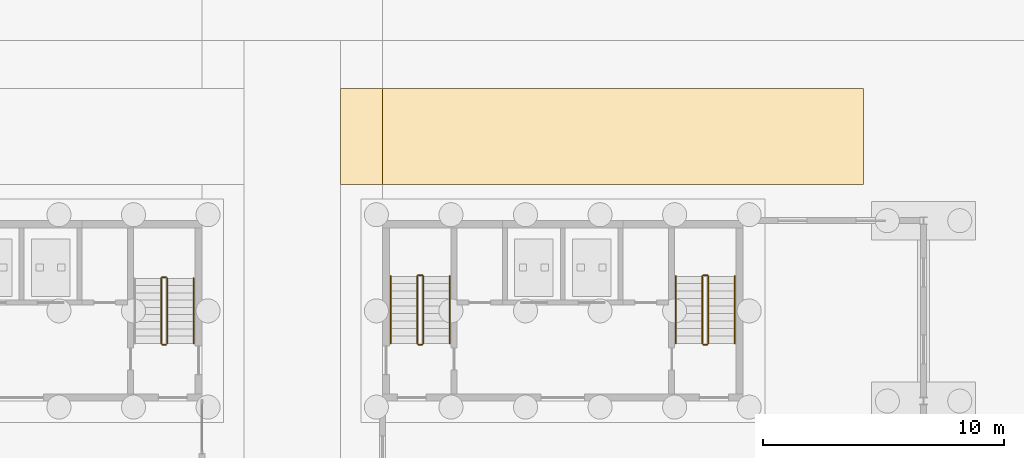
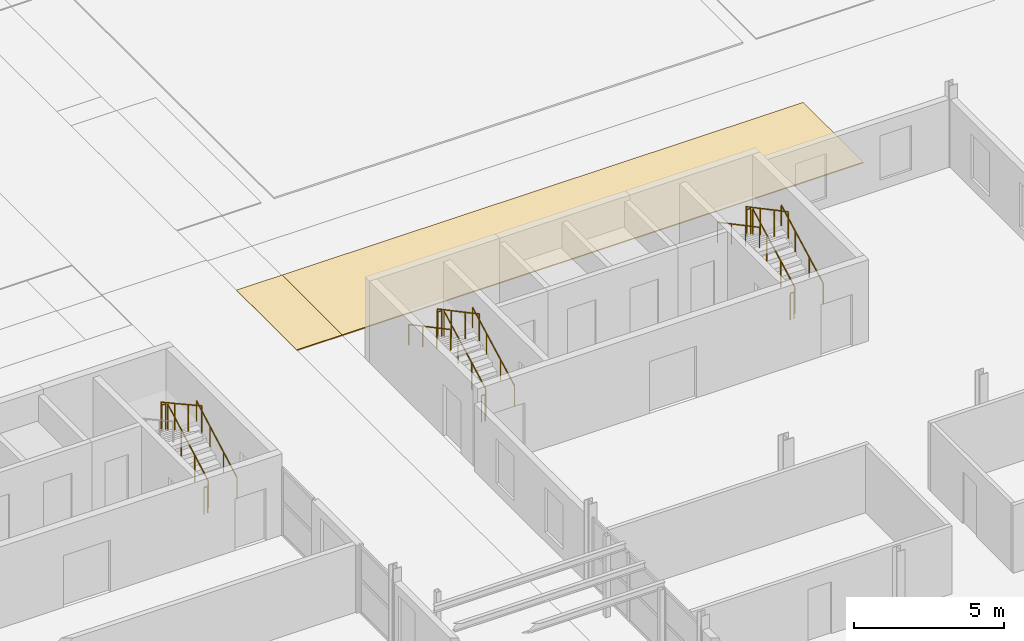
# One storey, part 118 of 130: 17 railings, 2 coverings.
"""IFC4 building model written with IfcOpenShell, lengths in metres."""

from ifc_helpers import new_model, si_unit, direction, frame, origin, origin_2d, place, context, subcontext, project, spatial, polyline, circle, outline, extrude, material, layer, layer_set, type_object, element, save


model = new_model("IFC4")

# Units and contexts
model_context = context("Model", 3, precision=1e-05, world=origin(), true_north=direction((0.0, 1.0)))
body_context = subcontext(model_context, "Body", "Model", "MODEL_VIEW")
ifc_project = project(units=[si_unit("LENGTHUNIT", "METRE"), si_unit("AREAUNIT", "SQUARE_METRE"), si_unit("VOLUMEUNIT", "CUBIC_METRE"), si_unit("PLANEANGLEUNIT", "RADIAN"), si_unit("MASSUNIT", "GRAM", prefix="KILO")], contexts=[model_context])

# Site, building, storey
site_placement = place(None, origin())
site = spatial("IfcSite", under=ifc_project, at=site_placement, CompositionType="ELEMENT")
building_placement = place(site_placement, origin())
building = spatial("IfcBuilding", under=site, at=building_placement, Name="Parallax Yard Mobility Hub", CompositionType="ELEMENT")
storey_placement = place(building_placement, origin())
storey = spatial("IfcBuildingStorey", under=building, at=storey_placement, Name="L00", CompositionType="ELEMENT", Elevation=0.0)

# Coverings
ifc_material_1 = material(Name="Concrete fc' 30 MPa", Category="concrete")
ifc_layer = layer(ifc_material_1, 0.0400390625)
ifc_layer_set = layer_set([ifc_layer], Name="Footway paving, Concrete fc' 30 MPa pavers 40")
covering_type = type_object("IfcCoveringType", Name="Footway paving, Concrete fc' 30 MPa pavers 40", PredefinedType="USERDEFINED", material=ifc_layer_set)
covering_1_placement = place(storey_placement, origin())
element("IfcCovering", 1, at=covering_1_placement, inside=storey, type_object=covering_type, Name="Yard footway south surfacing 6", ObjectType="PAVING", PredefinedType="USERDEFINED", context=body_context, shape_type="SweptSolid", body=[
    extrude(outline(polyline([(148.25, 54.0), (148.25, 58.0), (150.0, 58.0), (150.0, 54.0), (148.25, 54.0)])), origin(), (0.0, 0.0, 1.0), 0.0400390625),
])
covering_2_placement = place(storey_placement, origin())
element("IfcCovering", 2, at=covering_2_placement, inside=storey, type_object=covering_type, Name="Yard footway south surfacing 7", ObjectType="PAVING", PredefinedType="USERDEFINED", context=body_context, shape_type="SweptSolid", body=[
    extrude(outline(polyline([(170.0, 54.0), (150.0, 54.0), (150.0, 58.0), (170.0, 58.0), (170.0, 54.0)])), origin(), (0.0, 0.0, 1.0), 0.0400390625),
])

# Railings
ifc_material_2 = material(Name="Steel ASTM A36", Category="steel")
railing_type_1 = type_object("IfcRailingType", Name="Stair guard 1100", PredefinedType="GUARDRAIL", material=ifc_material_2)
railing_1_placement = place(storey_placement, frame((141.050048828125, 47.39990234375, 0.1650390625)))
element("IfcRailing", 3, at=railing_1_placement, inside=storey, type_object=railing_type_1, Name="L00 ST14 stair guard 1", PredefinedType="GUARDRAIL", context=body_context, shape_type="SweptSolid", body=[
    extrude(circle(Radius=0.02392578125, at=origin_2d()), frame((0.0, 0.0, 1.076171875), z_axis=(0.0, 0.876249361297, 0.481857921827), x_axis=(-1.0, 0.0, 0.0)), (0.0, 0.0, 1.0), 3.08154296875),
    extrude(circle(Radius=0.02099609375, at=origin_2d()), origin(), (0.0, 0.0, 1.0), 1.052001953125),
    extrude(circle(Radius=0.02099609375, at=origin_2d()), frame((0.0, 0.900146484375, 0.494873046875)), (0.0, 0.0, 1.0), 1.052001953125),
    extrude(circle(Radius=0.02099609375, at=origin_2d()), frame((0.0, 1.800048828125, 0.989990234375)), (0.0, 0.0, 1.0), 1.052001953125),
    extrude(circle(Radius=0.02099609375, at=origin_2d()), frame((0.0, 2.7001953125, 1.48486328125)), (0.0, 0.0, 1.0), 1.052001953125),
])
railing_2_placement = place(storey_placement, frame((141.0, 50.14990234375, 1.64990234375)))
element("IfcRailing", 4, at=railing_2_placement, inside=storey, type_object=railing_type_1, Name="L00 ST14 stair guard 2", PredefinedType="GUARDRAIL", context=body_context, shape_type="SweptSolid", body=[
    extrude(circle(Radius=0.02392578125, at=origin_2d()), frame((0.0, 0.0, 1.076171875), z_axis=(-1.0, 0.0, 0.0), x_axis=(0.0, -1.0, 0.0)), (0.0, 0.0, 1.0), 0.14990234375),
    extrude(circle(Radius=0.02099609375, at=origin_2d()), origin(), (0.0, 0.0, 1.0), 1.052001953125),
    extrude(circle(Radius=0.02099609375, at=origin_2d()), frame((-0.14990234375, 0.0, 0.0)), (0.0, 0.0, 1.0), 1.052001953125),
])
railing_3_placement = place(storey_placement, frame((140.800048828125, 50.10009765625, 1.81494140625)))
element("IfcRailing", 5, at=railing_3_placement, inside=storey, type_object=railing_type_1, Name="L00 ST14 stair guard 3", PredefinedType="GUARDRAIL", context=body_context, shape_type="SweptSolid", body=[
    extrude(circle(Radius=0.02392578125, at=origin_2d()), frame((0.0, 0.0, 1.076171875), z_axis=(0.0, -0.876215908677, 0.481918749772), x_axis=(1.0, 0.0, 0.0)), (0.0, 0.0, 1.0), 3.08154296875),
    extrude(circle(Radius=0.02099609375, at=origin_2d()), origin(), (0.0, 0.0, 1.0), 1.052001953125),
    extrude(circle(Radius=0.02099609375, at=origin_2d()), frame((0.0, -0.900146484375, 0.4951171875)), (0.0, 0.0, 1.0), 1.052001953125),
    extrude(circle(Radius=0.02099609375, at=origin_2d()), frame((0.0, -1.800048828125, 0.989990234375)), (0.0, 0.0, 1.0), 1.052001953125),
    extrude(circle(Radius=0.02099609375, at=origin_2d()), frame((0.0, -2.7001953125, 1.485107421875)), (0.0, 0.0, 1.0), 1.052001953125),
])
railing_4_placement = place(storey_placement, frame((141.0, 47.35009765625, 0.0)))
element("IfcRailing", 6, at=railing_4_placement, inside=storey, type_object=railing_type_1, Name="L00 ST14 stair guard 4", PredefinedType="GUARDRAIL", context=body_context, shape_type="SweptSolid", body=[
    extrude(circle(Radius=0.02392578125, at=origin_2d()), frame((0.0, 0.0, 1.076171875), z_axis=(-1.0, 0.0, 0.0), x_axis=(0.0, -1.0, 0.0)), (0.0, 0.0, 1.0), 0.14990234375),
    extrude(circle(Radius=0.02099609375, at=origin_2d()), origin(), (0.0, 0.0, 1.0), 1.052001953125),
    extrude(circle(Radius=0.02099609375, at=origin_2d()), frame((-0.14990234375, 0.0, 0.0)), (0.0, 0.0, 1.0), 1.052001953125),
])
railing_5_placement = place(storey_placement, frame((151.699951171875, 47.39990234375, 0.1650390625)))
element("IfcRailing", 7, at=railing_5_placement, inside=storey, type_object=railing_type_1, Name="L00 ST15 stair guard 1", PredefinedType="GUARDRAIL", context=body_context, shape_type="SweptSolid", body=[
    extrude(circle(Radius=0.02392578125, at=origin_2d()), frame((0.0, 0.0, 1.076171875), z_axis=(0.0, 0.882767428149, 0.469810246588), x_axis=(-1.0, 0.0, 0.0)), (0.0, 0.0, 1.0), 3.16064453125),
    extrude(circle(Radius=0.02099609375, at=origin_2d()), origin(), (0.0, 0.0, 1.0), 1.052001953125),
    extrude(circle(Radius=0.02099609375, at=origin_2d()), frame((0.0, 0.929931640625, 0.494873046875)), (0.0, 0.0, 1.0), 1.052001953125),
    extrude(circle(Radius=0.02099609375, at=origin_2d()), frame((0.0, 1.860107421875, 0.989990234375)), (0.0, 0.0, 1.0), 1.052001953125),
    extrude(circle(Radius=0.02099609375, at=origin_2d()), frame((0.0, 2.7900390625, 1.48486328125)), (0.0, 0.0, 1.0), 1.052001953125),
])
railing_6_placement = place(storey_placement, frame((151.64990234375, 50.239990234375, 1.64990234375)))
element("IfcRailing", 8, at=railing_6_placement, inside=storey, type_object=railing_type_1, Name="L00 ST15 stair guard 2", PredefinedType="GUARDRAIL", context=body_context, shape_type="SweptSolid", body=[
    extrude(circle(Radius=0.02392578125, at=origin_2d()), frame((0.0, 0.0, 1.076171875), z_axis=(-1.0, 0.0, 0.0), x_axis=(0.0, -1.0, 0.0)), (0.0, 0.0, 1.0), 0.14990234375),
    extrude(circle(Radius=0.02099609375, at=origin_2d()), origin(), (0.0, 0.0, 1.0), 1.052001953125),
    extrude(circle(Radius=0.02099609375, at=origin_2d()), frame((-0.14990234375, 0.0, 0.0)), (0.0, 0.0, 1.0), 1.052001953125),
])
railing_7_placement = place(storey_placement, frame((151.449951171875, 50.18994140625, 1.81494140625)))
element("IfcRailing", 9, at=railing_7_placement, inside=storey, type_object=railing_type_1, Name="L00 ST15 stair guard 3", PredefinedType="GUARDRAIL", context=body_context, shape_type="SweptSolid", body=[
    extrude(circle(Radius=0.02392578125, at=origin_2d()), frame((0.0, 0.0, 1.076171875), z_axis=(0.0, -0.882735390775, 0.469870439454), x_axis=(1.0, 0.0, 0.0)), (0.0, 0.0, 1.0), 3.16064453125),
    extrude(circle(Radius=0.02099609375, at=origin_2d()), origin(), (0.0, 0.0, 1.0), 1.052001953125),
    extrude(circle(Radius=0.02099609375, at=origin_2d()), frame((0.0, -0.929931640625, 0.4951171875)), (0.0, 0.0, 1.0), 1.052001953125),
    extrude(circle(Radius=0.02099609375, at=origin_2d()), frame((0.0, -1.860107421875, 0.989990234375)), (0.0, 0.0, 1.0), 1.052001953125),
    extrude(circle(Radius=0.02099609375, at=origin_2d()), frame((0.0, -2.7900390625, 1.485107421875)), (0.0, 0.0, 1.0), 1.052001953125),
])
railing_8_placement = place(storey_placement, frame((151.64990234375, 47.35009765625, 0.0)))
element("IfcRailing", 10, at=railing_8_placement, inside=storey, type_object=railing_type_1, Name="L00 ST15 stair guard 4", PredefinedType="GUARDRAIL", context=body_context, shape_type="SweptSolid", body=[
    extrude(circle(Radius=0.02392578125, at=origin_2d()), frame((0.0, 0.0, 1.076171875), z_axis=(-1.0, 0.0, 0.0), x_axis=(0.0, -1.0, 0.0)), (0.0, 0.0, 1.0), 0.14990234375),
    extrude(circle(Radius=0.02099609375, at=origin_2d()), origin(), (0.0, 0.0, 1.0), 1.052001953125),
    extrude(circle(Radius=0.02099609375, at=origin_2d()), frame((-0.14990234375, 0.0, 0.0)), (0.0, 0.0, 1.0), 1.052001953125),
])
railing_9_placement = place(storey_placement, frame((163.550048828125, 47.39990234375, 0.1650390625)))
element("IfcRailing", 11, at=railing_9_placement, inside=storey, type_object=railing_type_1, Name="L00 ST16 stair guard 1", PredefinedType="GUARDRAIL", context=body_context, shape_type="SweptSolid", body=[
    extrude(circle(Radius=0.02392578125, at=origin_2d()), frame((0.0, 0.0, 1.076171875), z_axis=(0.0, 0.882767428149, 0.469810246588), x_axis=(-1.0, 0.0, 0.0)), (0.0, 0.0, 1.0), 3.16064453125),
    extrude(circle(Radius=0.02099609375, at=origin_2d()), origin(), (0.0, 0.0, 1.0), 1.052001953125),
    extrude(circle(Radius=0.02099609375, at=origin_2d()), frame((0.0, 0.929931640625, 0.494873046875)), (0.0, 0.0, 1.0), 1.052001953125),
    extrude(circle(Radius=0.02099609375, at=origin_2d()), frame((0.0, 1.860107421875, 0.989990234375)), (0.0, 0.0, 1.0), 1.052001953125),
    extrude(circle(Radius=0.02099609375, at=origin_2d()), frame((0.0, 2.7900390625, 1.48486328125)), (0.0, 0.0, 1.0), 1.052001953125),
])
railing_10_placement = place(storey_placement, frame((163.5, 50.239990234375, 1.64990234375)))
element("IfcRailing", 12, at=railing_10_placement, inside=storey, type_object=railing_type_1, Name="L00 ST16 stair guard 2", PredefinedType="GUARDRAIL", context=body_context, shape_type="SweptSolid", body=[
    extrude(circle(Radius=0.02392578125, at=origin_2d()), frame((0.0, 0.0, 1.076171875), z_axis=(-1.0, 0.0, 0.0), x_axis=(0.0, -1.0, 0.0)), (0.0, 0.0, 1.0), 0.14990234375),
    extrude(circle(Radius=0.02099609375, at=origin_2d()), origin(), (0.0, 0.0, 1.0), 1.052001953125),
    extrude(circle(Radius=0.02099609375, at=origin_2d()), frame((-0.14990234375, 0.0, 0.0)), (0.0, 0.0, 1.0), 1.052001953125),
])
railing_11_placement = place(storey_placement, frame((163.300048828125, 50.18994140625, 1.81494140625)))
element("IfcRailing", 13, at=railing_11_placement, inside=storey, type_object=railing_type_1, Name="L00 ST16 stair guard 3", PredefinedType="GUARDRAIL", context=body_context, shape_type="SweptSolid", body=[
    extrude(circle(Radius=0.02392578125, at=origin_2d()), frame((0.0, 0.0, 1.076171875), z_axis=(0.0, -0.882735390775, 0.469870439454), x_axis=(1.0, 0.0, 0.0)), (0.0, 0.0, 1.0), 3.16064453125),
    extrude(circle(Radius=0.02099609375, at=origin_2d()), origin(), (0.0, 0.0, 1.0), 1.052001953125),
    extrude(circle(Radius=0.02099609375, at=origin_2d()), frame((0.0, -0.929931640625, 0.4951171875)), (0.0, 0.0, 1.0), 1.052001953125),
    extrude(circle(Radius=0.02099609375, at=origin_2d()), frame((0.0, -1.860107421875, 0.989990234375)), (0.0, 0.0, 1.0), 1.052001953125),
    extrude(circle(Radius=0.02099609375, at=origin_2d()), frame((0.0, -2.7900390625, 1.485107421875)), (0.0, 0.0, 1.0), 1.052001953125),
])
railing_12_placement = place(storey_placement, frame((163.5, 47.35009765625, 0.0)))
element("IfcRailing", 14, at=railing_12_placement, inside=storey, type_object=railing_type_1, Name="L00 ST16 stair guard 4", PredefinedType="GUARDRAIL", context=body_context, shape_type="SweptSolid", body=[
    extrude(circle(Radius=0.02392578125, at=origin_2d()), frame((0.0, 0.0, 1.076171875), z_axis=(-1.0, 0.0, 0.0), x_axis=(0.0, -1.0, 0.0)), (0.0, 0.0, 1.0), 0.14990234375),
    extrude(circle(Radius=0.02099609375, at=origin_2d()), origin(), (0.0, 0.0, 1.0), 1.052001953125),
    extrude(circle(Radius=0.02099609375, at=origin_2d()), frame((-0.14990234375, 0.0, 0.0)), (0.0, 0.0, 1.0), 1.052001953125),
])
railing_type_2 = type_object("IfcRailingType", Name="Stair handrail", PredefinedType="HANDRAIL", material=ifc_material_2)
railing_13_placement = place(storey_placement, frame((142.14990234375, 47.39990234375, 0.1650390625)))
element("IfcRailing", 15, at=railing_13_placement, inside=storey, type_object=railing_type_2, Name="L00 ST14 stair handrail 1", PredefinedType="HANDRAIL", context=body_context, shape_type="SweptSolid", body=[
    extrude(circle(Radius=0.02392578125, at=origin_2d()), frame((0.0, 0.0, 0.8310546875), z_axis=(0.0, 0.876249361297, 0.481857921827), x_axis=(-1.0, 0.0, 0.0)), (0.0, 0.0, 1.0), 3.08154296875),
    extrude(circle(Radius=0.02099609375, at=origin_2d()), origin(), (0.0, 0.0, 1.0), 0.806884765625),
    extrude(circle(Radius=0.02099609375, at=origin_2d()), frame((0.0, 0.900146484375, 0.494873046875)), (0.0, 0.0, 1.0), 0.806884765625),
    extrude(circle(Radius=0.02099609375, at=origin_2d()), frame((0.0, 1.800048828125, 0.989990234375)), (0.0, 0.0, 1.0), 0.806884765625),
    extrude(circle(Radius=0.02099609375, at=origin_2d()), frame((0.0, 2.7001953125, 1.48486328125)), (0.0, 0.0, 1.0), 0.806884765625),
])
railing_14_placement = place(storey_placement, frame((152.800048828125, 47.39990234375, 0.1650390625)))
element("IfcRailing", 16, at=railing_14_placement, inside=storey, type_object=railing_type_2, Name="L00 ST15 stair handrail 1", PredefinedType="HANDRAIL", context=body_context, shape_type="SweptSolid", body=[
    extrude(circle(Radius=0.02392578125, at=origin_2d()), frame((0.0, 0.0, 0.8310546875), z_axis=(0.0, 0.882767428149, 0.469810246588), x_axis=(-1.0, 0.0, 0.0)), (0.0, 0.0, 1.0), 3.16064453125),
    extrude(circle(Radius=0.02099609375, at=origin_2d()), origin(), (0.0, 0.0, 1.0), 0.806884765625),
    extrude(circle(Radius=0.02099609375, at=origin_2d()), frame((0.0, 0.929931640625, 0.494873046875)), (0.0, 0.0, 1.0), 0.806884765625),
    extrude(circle(Radius=0.02099609375, at=origin_2d()), frame((0.0, 1.860107421875, 0.989990234375)), (0.0, 0.0, 1.0), 0.806884765625),
    extrude(circle(Radius=0.02099609375, at=origin_2d()), frame((0.0, 2.7900390625, 1.48486328125)), (0.0, 0.0, 1.0), 0.806884765625),
])
railing_15_placement = place(storey_placement, frame((150.35009765625, 50.18994140625, 1.81494140625)))
element("IfcRailing", 17, at=railing_15_placement, inside=storey, type_object=railing_type_2, Name="L00 ST15 stair handrail 2", PredefinedType="HANDRAIL", context=body_context, shape_type="SweptSolid", body=[
    extrude(circle(Radius=0.02392578125, at=origin_2d()), frame((0.0, 0.0, 0.8310546875), z_axis=(0.0, -0.882735390775, 0.469870439454), x_axis=(1.0, 0.0, 0.0)), (0.0, 0.0, 1.0), 3.16064453125),
    extrude(circle(Radius=0.02099609375, at=origin_2d()), origin(), (0.0, 0.0, 1.0), 0.806884765625),
    extrude(circle(Radius=0.02099609375, at=origin_2d()), frame((0.0, -0.929931640625, 0.4951171875)), (0.0, 0.0, 1.0), 0.806884765625),
    extrude(circle(Radius=0.02099609375, at=origin_2d()), frame((0.0, -1.860107421875, 0.989990234375)), (0.0, 0.0, 1.0), 0.806884765625),
    extrude(circle(Radius=0.02099609375, at=origin_2d()), frame((0.0, -2.7900390625, 1.485107421875)), (0.0, 0.0, 1.0), 0.806884765625),
])
railing_16_placement = place(storey_placement, frame((164.64990234375, 47.39990234375, 0.1650390625)))
element("IfcRailing", 18, at=railing_16_placement, inside=storey, type_object=railing_type_2, Name="L00 ST16 stair handrail 1", PredefinedType="HANDRAIL", context=body_context, shape_type="SweptSolid", body=[
    extrude(circle(Radius=0.02392578125, at=origin_2d()), frame((0.0, 0.0, 0.8310546875), z_axis=(0.0, 0.882767428149, 0.469810246588), x_axis=(-1.0, 0.0, 0.0)), (0.0, 0.0, 1.0), 3.16064453125),
    extrude(circle(Radius=0.02099609375, at=origin_2d()), origin(), (0.0, 0.0, 1.0), 0.806884765625),
    extrude(circle(Radius=0.02099609375, at=origin_2d()), frame((0.0, 0.929931640625, 0.494873046875)), (0.0, 0.0, 1.0), 0.806884765625),
    extrude(circle(Radius=0.02099609375, at=origin_2d()), frame((0.0, 1.860107421875, 0.989990234375)), (0.0, 0.0, 1.0), 0.806884765625),
    extrude(circle(Radius=0.02099609375, at=origin_2d()), frame((0.0, 2.7900390625, 1.48486328125)), (0.0, 0.0, 1.0), 0.806884765625),
])
railing_17_placement = place(storey_placement, frame((162.199951171875, 50.18994140625, 1.81494140625)))
element("IfcRailing", 19, at=railing_17_placement, inside=storey, type_object=railing_type_2, Name="L00 ST16 stair handrail 2", PredefinedType="HANDRAIL", context=body_context, shape_type="SweptSolid", body=[
    extrude(circle(Radius=0.02392578125, at=origin_2d()), frame((0.0, 0.0, 0.8310546875), z_axis=(0.0, -0.882735390775, 0.469870439454), x_axis=(1.0, 0.0, 0.0)), (0.0, 0.0, 1.0), 3.16064453125),
    extrude(circle(Radius=0.02099609375, at=origin_2d()), origin(), (0.0, 0.0, 1.0), 0.806884765625),
    extrude(circle(Radius=0.02099609375, at=origin_2d()), frame((0.0, -0.929931640625, 0.4951171875)), (0.0, 0.0, 1.0), 0.806884765625),
    extrude(circle(Radius=0.02099609375, at=origin_2d()), frame((0.0, -1.860107421875, 0.989990234375)), (0.0, 0.0, 1.0), 0.806884765625),
    extrude(circle(Radius=0.02099609375, at=origin_2d()), frame((0.0, -2.7900390625, 1.485107421875)), (0.0, 0.0, 1.0), 0.806884765625),
])

save(model, "model.ifc")
